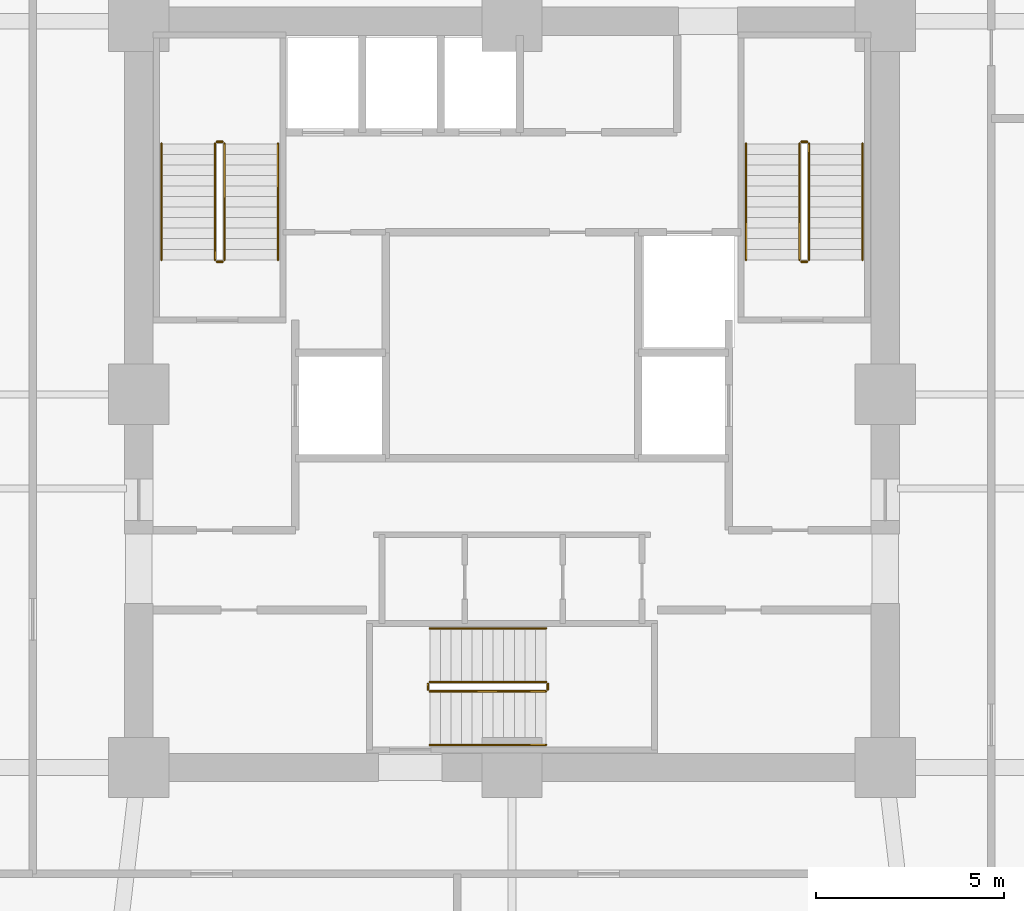
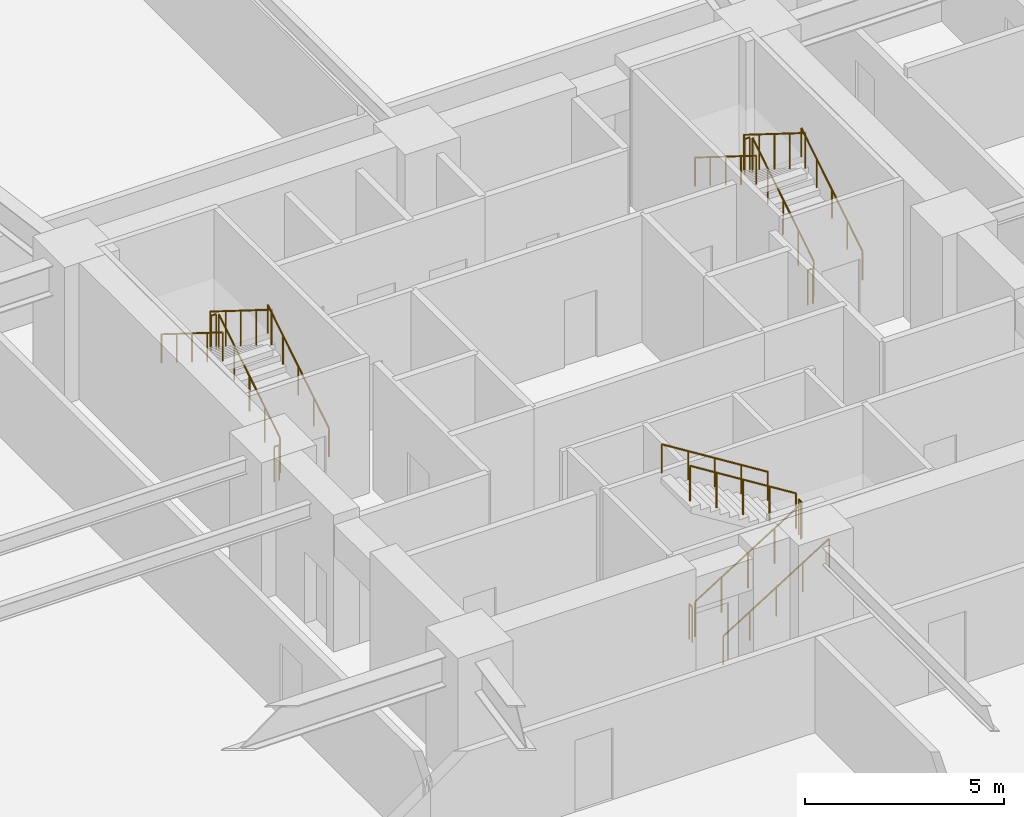
# One storey, part 5 of 5: 18 railings.
"""IFC4 building model written with IfcOpenShell, lengths in metres."""

from ifc_helpers import new_model, si_unit, direction, frame, origin, origin_2d, place, context, subcontext, project, spatial, circle, extrude, material, type_object, element, save


model = new_model("IFC4")

# Units and contexts
model_context = context("Model", 3, precision=1e-05, world=origin(), true_north=direction((0.0, 1.0)))
body_context = subcontext(model_context, "Body", "Model", "MODEL_VIEW")
ifc_project = project(units=[si_unit("LENGTHUNIT", "METRE"), si_unit("AREAUNIT", "SQUARE_METRE"), si_unit("VOLUMEUNIT", "CUBIC_METRE"), si_unit("PLANEANGLEUNIT", "RADIAN"), si_unit("MASSUNIT", "GRAM", prefix="KILO")], contexts=[model_context])

# Site, building, storey
site_placement = place(None, origin())
site = spatial("IfcSite", under=ifc_project, at=site_placement, CompositionType="ELEMENT")
building_placement = place(site_placement, origin())
building = spatial("IfcBuilding", under=site, at=building_placement, Name="Kolvaren Belvedere", CompositionType="ELEMENT")
storey_placement = place(building_placement, frame((0.0, 0.0, -8.39990234375)))
storey = spatial("IfcBuildingStorey", under=building, at=storey_placement, Name="B02", CompositionType="ELEMENT", Elevation=-8.39990234375)

# Railings
ifc_material_1 = material(Name="Brushed stainless-steel handrail", Category="steel")
railing_type_1 = type_object("IfcRailingType", Name="RL-HANDRAIL-920", PredefinedType="HANDRAIL", material=ifc_material_1)
railing_1_placement = place(storey_placement, frame((-6.2099609375, 3.570068359375, 0.1748046875)))
element("IfcRailing", 1, at=railing_1_placement, inside=storey, type_object=railing_type_1, Name="B02 ST-1 stair handrail 1", PredefinedType="HANDRAIL", context=body_context, shape_type="SweptSolid", body=[
    extrude(circle(Radius=0.02392578125, at=origin_2d()), frame((0.0, 0.0, 0.8759765625), z_axis=(0.0, 0.847979421464, 0.530029150871), x_axis=(-1.0, 0.0, 0.0)), (0.0, 0.0, 1.0), 3.632080078125),
    extrude(circle(Radius=0.02099609375, at=origin_2d()), origin(), (0.0, 0.0, 1.0), 0.851806640625),
    extrude(circle(Radius=0.02099609375, at=origin_2d()), frame((0.0, 0.77001953125, 0.481201171875)), (0.0, 0.0, 1.0), 0.851806640625),
    extrude(circle(Radius=0.02099609375, at=origin_2d()), frame((0.0, 1.5400390625, 0.96240234375)), (0.0, 0.0, 1.0), 0.851806640625),
    extrude(circle(Radius=0.02099609375, at=origin_2d()), frame((0.0, 2.309814453125, 1.44384765625)), (0.0, 0.0, 1.0), 0.851806640625),
    extrude(circle(Radius=0.02099609375, at=origin_2d()), frame((0.0, 3.079833984375, 1.925048828125)), (0.0, 0.0, 1.0), 0.851806640625),
])
railing_2_placement = place(storey_placement, frame((-9.300048828125, 6.64990234375, 2.27490234375)))
element("IfcRailing", 2, at=railing_2_placement, inside=storey, type_object=railing_type_1, Name="B02 ST-1 stair handrail 2", PredefinedType="HANDRAIL", context=body_context, shape_type="SweptSolid", body=[
    extrude(circle(Radius=0.02392578125, at=origin_2d()), frame((0.0, 0.0, 0.8759765625), z_axis=(0.0, -0.847979421464, 0.530029150871), x_axis=(1.0, 0.0, 0.0)), (0.0, 0.0, 1.0), 3.632080078125),
    extrude(circle(Radius=0.02099609375, at=origin_2d()), origin(), (0.0, 0.0, 1.0), 0.851806640625),
    extrude(circle(Radius=0.02099609375, at=origin_2d()), frame((0.0, -0.77001953125, 0.481201171875)), (0.0, 0.0, 1.0), 0.851806640625),
    extrude(circle(Radius=0.02099609375, at=origin_2d()), frame((0.0, -1.5400390625, 0.96240234375)), (0.0, 0.0, 1.0), 0.851806640625),
    extrude(circle(Radius=0.02099609375, at=origin_2d()), frame((0.0, -2.309814453125, 1.44384765625)), (0.0, 0.0, 1.0), 0.851806640625),
    extrude(circle(Radius=0.02099609375, at=origin_2d()), frame((0.0, -3.079833984375, 1.925048828125)), (0.0, 0.0, 1.0), 0.851806640625),
])
railing_3_placement = place(storey_placement, frame((9.300048828125, 3.570068359375, 0.1748046875)))
element("IfcRailing", 3, at=railing_3_placement, inside=storey, type_object=railing_type_1, Name="B02 ST-2 stair handrail 1", PredefinedType="HANDRAIL", context=body_context, shape_type="SweptSolid", body=[
    extrude(circle(Radius=0.02392578125, at=origin_2d()), frame((0.0, 0.0, 0.8759765625), z_axis=(0.0, 0.847979421464, 0.530029150871), x_axis=(-1.0, 0.0, 0.0)), (0.0, 0.0, 1.0), 3.632080078125),
    extrude(circle(Radius=0.02099609375, at=origin_2d()), origin(), (0.0, 0.0, 1.0), 0.851806640625),
    extrude(circle(Radius=0.02099609375, at=origin_2d()), frame((0.0, 0.77001953125, 0.481201171875)), (0.0, 0.0, 1.0), 0.851806640625),
    extrude(circle(Radius=0.02099609375, at=origin_2d()), frame((0.0, 1.5400390625, 0.96240234375)), (0.0, 0.0, 1.0), 0.851806640625),
    extrude(circle(Radius=0.02099609375, at=origin_2d()), frame((0.0, 2.309814453125, 1.44384765625)), (0.0, 0.0, 1.0), 0.851806640625),
    extrude(circle(Radius=0.02099609375, at=origin_2d()), frame((0.0, 3.079833984375, 1.925048828125)), (0.0, 0.0, 1.0), 0.851806640625),
])
railing_4_placement = place(storey_placement, frame((6.2099609375, 6.64990234375, 2.27490234375)))
element("IfcRailing", 4, at=railing_4_placement, inside=storey, type_object=railing_type_1, Name="B02 ST-2 stair handrail 2", PredefinedType="HANDRAIL", context=body_context, shape_type="SweptSolid", body=[
    extrude(circle(Radius=0.02392578125, at=origin_2d()), frame((0.0, 0.0, 0.8759765625), z_axis=(0.0, -0.847979421464, 0.530029150871), x_axis=(1.0, 0.0, 0.0)), (0.0, 0.0, 1.0), 3.632080078125),
    extrude(circle(Radius=0.02099609375, at=origin_2d()), origin(), (0.0, 0.0, 1.0), 0.851806640625),
    extrude(circle(Radius=0.02099609375, at=origin_2d()), frame((0.0, -0.77001953125, 0.481201171875)), (0.0, 0.0, 1.0), 0.851806640625),
    extrude(circle(Radius=0.02099609375, at=origin_2d()), frame((0.0, -1.5400390625, 0.96240234375)), (0.0, 0.0, 1.0), 0.851806640625),
    extrude(circle(Radius=0.02099609375, at=origin_2d()), frame((0.0, -2.309814453125, 1.44384765625)), (0.0, 0.0, 1.0), 0.851806640625),
    extrude(circle(Radius=0.02099609375, at=origin_2d()), frame((0.0, -3.079833984375, 1.925048828125)), (0.0, 0.0, 1.0), 0.851806640625),
])
railing_5_placement = place(storey_placement, frame((-2.179931640625, -9.300048828125, 0.1748046875)))
element("IfcRailing", 5, at=railing_5_placement, inside=storey, type_object=railing_type_1, Name="B02 ST-3 stair handrail 1", PredefinedType="HANDRAIL", context=body_context, shape_type="SweptSolid", body=[
    extrude(circle(Radius=0.02392578125, at=origin_2d()), frame((0.0, 0.0, 0.8759765625), z_axis=(0.847979421464, 0.0, 0.530029150871), x_axis=(0.0, 1.0, 0.0)), (0.0, 0.0, 1.0), 3.632080078125),
    extrude(circle(Radius=0.02099609375, at=origin_2d()), origin(), (0.0, 0.0, 1.0), 0.851806640625),
    extrude(circle(Radius=0.02099609375, at=origin_2d()), frame((0.77001953125, 0.0, 0.481201171875)), (0.0, 0.0, 1.0), 0.851806640625),
    extrude(circle(Radius=0.02099609375, at=origin_2d()), frame((1.5400390625, 0.0, 0.96240234375)), (0.0, 0.0, 1.0), 0.851806640625),
    extrude(circle(Radius=0.02099609375, at=origin_2d()), frame((2.309814453125, 0.0, 1.44384765625)), (0.0, 0.0, 1.0), 0.851806640625),
    extrude(circle(Radius=0.02099609375, at=origin_2d()), frame((3.079833984375, 0.0, 1.925048828125)), (0.0, 0.0, 1.0), 0.851806640625),
])
railing_6_placement = place(storey_placement, frame((0.89990234375, -6.2099609375, 2.27490234375)))
element("IfcRailing", 6, at=railing_6_placement, inside=storey, type_object=railing_type_1, Name="B02 ST-3 stair handrail 2", PredefinedType="HANDRAIL", context=body_context, shape_type="SweptSolid", body=[
    extrude(circle(Radius=0.02392578125, at=origin_2d()), frame((0.0, 0.0, 0.8759765625), z_axis=(-0.847979421464, 0.0, 0.530029150871), x_axis=(0.0, -1.0, 0.0)), (0.0, 0.0, 1.0), 3.632080078125),
    extrude(circle(Radius=0.02099609375, at=origin_2d()), origin(), (0.0, 0.0, 1.0), 0.851806640625),
    extrude(circle(Radius=0.02099609375, at=origin_2d()), frame((-0.77001953125, 0.0, 0.481201171875)), (0.0, 0.0, 1.0), 0.851806640625),
    extrude(circle(Radius=0.02099609375, at=origin_2d()), frame((-1.5400390625, 0.0, 0.96240234375)), (0.0, 0.0, 1.0), 0.851806640625),
    extrude(circle(Radius=0.02099609375, at=origin_2d()), frame((-2.309814453125, 0.0, 1.44384765625)), (0.0, 0.0, 1.0), 0.851806640625),
    extrude(circle(Radius=0.02099609375, at=origin_2d()), frame((-3.079833984375, 0.0, 1.925048828125)), (0.0, 0.0, 1.0), 0.851806640625),
])
ifc_material_2 = material(Name="Painted tubular steel stair guard", Category="steel")
railing_type_2 = type_object("IfcRailingType", Name="RL-STGUARD-1100", PredefinedType="GUARDRAIL", material=ifc_material_2)
railing_7_placement = place(storey_placement, frame((-7.6298828125, 3.570068359375, 0.1748046875)))
element("IfcRailing", 7, at=railing_7_placement, inside=storey, type_object=railing_type_2, Name="B02 ST-1 stair guard 1", PredefinedType="GUARDRAIL", context=body_context, shape_type="SweptSolid", body=[
    extrude(circle(Radius=0.02392578125, at=origin_2d()), frame((0.0, 0.0, 1.076171875), z_axis=(0.0, 0.847979421464, 0.530029150871), x_axis=(-1.0, 0.0, 0.0)), (0.0, 0.0, 1.0), 3.632080078125),
    extrude(circle(Radius=0.02099609375, at=origin_2d()), origin(), (0.0, 0.0, 1.0), 1.052001953125),
    extrude(circle(Radius=0.02099609375, at=origin_2d()), frame((0.0, 0.77001953125, 0.481201171875)), (0.0, 0.0, 1.0), 1.052001953125),
    extrude(circle(Radius=0.02099609375, at=origin_2d()), frame((0.0, 1.5400390625, 0.96240234375)), (0.0, 0.0, 1.0), 1.052001953125),
    extrude(circle(Radius=0.02099609375, at=origin_2d()), frame((0.0, 2.309814453125, 1.44384765625)), (0.0, 0.0, 1.0), 1.052001953125),
    extrude(circle(Radius=0.02099609375, at=origin_2d()), frame((0.0, 3.079833984375, 1.925048828125)), (0.0, 0.0, 1.0), 1.052001953125),
])
railing_8_placement = place(storey_placement, frame((-7.679931640625, 6.699951171875, 2.099853515625)))
element("IfcRailing", 8, at=railing_8_placement, inside=storey, type_object=railing_type_2, Name="B02 ST-1 stair guard 2", PredefinedType="GUARDRAIL", context=body_context, shape_type="SweptSolid", body=[
    extrude(circle(Radius=0.02392578125, at=origin_2d()), frame((0.0, 0.0, 1.076171875), z_axis=(-1.0, 0.0, 0.0), x_axis=(0.0, -1.0, 0.0)), (0.0, 0.0, 1.0), 0.150146484375),
    extrude(circle(Radius=0.02099609375, at=origin_2d()), origin(), (0.0, 0.0, 1.0), 1.052001953125),
    extrude(circle(Radius=0.02099609375, at=origin_2d()), frame((-0.150146484375, 0.0, 0.0)), (0.0, 0.0, 1.0), 1.052001953125),
])
railing_9_placement = place(storey_placement, frame((-7.8798828125, 6.64990234375, 2.27490234375)))
element("IfcRailing", 9, at=railing_9_placement, inside=storey, type_object=railing_type_2, Name="B02 ST-1 stair guard 3", PredefinedType="GUARDRAIL", context=body_context, shape_type="SweptSolid", body=[
    extrude(circle(Radius=0.02392578125, at=origin_2d()), frame((0.0, 0.0, 1.076171875), z_axis=(0.0, -0.847979421464, 0.530029150871), x_axis=(1.0, 0.0, 0.0)), (0.0, 0.0, 1.0), 3.632080078125),
    extrude(circle(Radius=0.02099609375, at=origin_2d()), origin(), (0.0, 0.0, 1.0), 1.052001953125),
    extrude(circle(Radius=0.02099609375, at=origin_2d()), frame((0.0, -0.77001953125, 0.481201171875)), (0.0, 0.0, 1.0), 1.052001953125),
    extrude(circle(Radius=0.02099609375, at=origin_2d()), frame((0.0, -1.5400390625, 0.96240234375)), (0.0, 0.0, 1.0), 1.052001953125),
    extrude(circle(Radius=0.02099609375, at=origin_2d()), frame((0.0, -2.309814453125, 1.44384765625)), (0.0, 0.0, 1.0), 1.052001953125),
    extrude(circle(Radius=0.02099609375, at=origin_2d()), frame((0.0, -3.079833984375, 1.925048828125)), (0.0, 0.0, 1.0), 1.052001953125),
])
railing_10_placement = place(storey_placement, frame((-7.679931640625, 3.52001953125, 0.0)))
element("IfcRailing", 10, at=railing_10_placement, inside=storey, type_object=railing_type_2, Name="B02 ST-1 stair guard 4", PredefinedType="GUARDRAIL", context=body_context, shape_type="SweptSolid", body=[
    extrude(circle(Radius=0.02392578125, at=origin_2d()), frame((0.0, 0.0, 1.076171875), z_axis=(-1.0, 0.0, 0.0), x_axis=(0.0, -1.0, 0.0)), (0.0, 0.0, 1.0), 0.150146484375),
    extrude(circle(Radius=0.02099609375, at=origin_2d()), origin(), (0.0, 0.0, 1.0), 1.052001953125),
    extrude(circle(Radius=0.02099609375, at=origin_2d()), frame((-0.150146484375, 0.0, 0.0)), (0.0, 0.0, 1.0), 1.052001953125),
])
railing_11_placement = place(storey_placement, frame((7.8798828125, 3.570068359375, 0.1748046875)))
element("IfcRailing", 11, at=railing_11_placement, inside=storey, type_object=railing_type_2, Name="B02 ST-2 stair guard 1", PredefinedType="GUARDRAIL", context=body_context, shape_type="SweptSolid", body=[
    extrude(circle(Radius=0.02392578125, at=origin_2d()), frame((0.0, 0.0, 1.076171875), z_axis=(0.0, 0.847979421464, 0.530029150871), x_axis=(-1.0, 0.0, 0.0)), (0.0, 0.0, 1.0), 3.632080078125),
    extrude(circle(Radius=0.02099609375, at=origin_2d()), origin(), (0.0, 0.0, 1.0), 1.052001953125),
    extrude(circle(Radius=0.02099609375, at=origin_2d()), frame((0.0, 0.77001953125, 0.481201171875)), (0.0, 0.0, 1.0), 1.052001953125),
    extrude(circle(Radius=0.02099609375, at=origin_2d()), frame((0.0, 1.5400390625, 0.96240234375)), (0.0, 0.0, 1.0), 1.052001953125),
    extrude(circle(Radius=0.02099609375, at=origin_2d()), frame((0.0, 2.309814453125, 1.44384765625)), (0.0, 0.0, 1.0), 1.052001953125),
    extrude(circle(Radius=0.02099609375, at=origin_2d()), frame((0.0, 3.079833984375, 1.925048828125)), (0.0, 0.0, 1.0), 1.052001953125),
])
railing_12_placement = place(storey_placement, frame((7.830078125, 6.699951171875, 2.099853515625)))
element("IfcRailing", 12, at=railing_12_placement, inside=storey, type_object=railing_type_2, Name="B02 ST-2 stair guard 2", PredefinedType="GUARDRAIL", context=body_context, shape_type="SweptSolid", body=[
    extrude(circle(Radius=0.02392578125, at=origin_2d()), frame((0.0, 0.0, 1.076171875), z_axis=(-1.0, 0.0, 0.0), x_axis=(0.0, -1.0, 0.0)), (0.0, 0.0, 1.0), 0.150146484375),
    extrude(circle(Radius=0.02099609375, at=origin_2d()), origin(), (0.0, 0.0, 1.0), 1.052001953125),
    extrude(circle(Radius=0.02099609375, at=origin_2d()), frame((-0.150146484375, 0.0, 0.0)), (0.0, 0.0, 1.0), 1.052001953125),
])
railing_13_placement = place(storey_placement, frame((7.6298828125, 6.64990234375, 2.27490234375)))
element("IfcRailing", 13, at=railing_13_placement, inside=storey, type_object=railing_type_2, Name="B02 ST-2 stair guard 3", PredefinedType="GUARDRAIL", context=body_context, shape_type="SweptSolid", body=[
    extrude(circle(Radius=0.02392578125, at=origin_2d()), frame((0.0, 0.0, 1.076171875), z_axis=(0.0, -0.847979421464, 0.530029150871), x_axis=(1.0, 0.0, 0.0)), (0.0, 0.0, 1.0), 3.632080078125),
    extrude(circle(Radius=0.02099609375, at=origin_2d()), origin(), (0.0, 0.0, 1.0), 1.052001953125),
    extrude(circle(Radius=0.02099609375, at=origin_2d()), frame((0.0, -0.77001953125, 0.481201171875)), (0.0, 0.0, 1.0), 1.052001953125),
    extrude(circle(Radius=0.02099609375, at=origin_2d()), frame((0.0, -1.5400390625, 0.96240234375)), (0.0, 0.0, 1.0), 1.052001953125),
    extrude(circle(Radius=0.02099609375, at=origin_2d()), frame((0.0, -2.309814453125, 1.44384765625)), (0.0, 0.0, 1.0), 1.052001953125),
    extrude(circle(Radius=0.02099609375, at=origin_2d()), frame((0.0, -3.079833984375, 1.925048828125)), (0.0, 0.0, 1.0), 1.052001953125),
])
railing_14_placement = place(storey_placement, frame((7.830078125, 3.52001953125, 0.0)))
element("IfcRailing", 14, at=railing_14_placement, inside=storey, type_object=railing_type_2, Name="B02 ST-2 stair guard 4", PredefinedType="GUARDRAIL", context=body_context, shape_type="SweptSolid", body=[
    extrude(circle(Radius=0.02392578125, at=origin_2d()), frame((0.0, 0.0, 1.076171875), z_axis=(-1.0, 0.0, 0.0), x_axis=(0.0, -1.0, 0.0)), (0.0, 0.0, 1.0), 0.150146484375),
    extrude(circle(Radius=0.02099609375, at=origin_2d()), origin(), (0.0, 0.0, 1.0), 1.052001953125),
    extrude(circle(Radius=0.02099609375, at=origin_2d()), frame((-0.150146484375, 0.0, 0.0)), (0.0, 0.0, 1.0), 1.052001953125),
])
railing_15_placement = place(storey_placement, frame((-2.179931640625, -7.8798828125, 0.1748046875)))
element("IfcRailing", 15, at=railing_15_placement, inside=storey, type_object=railing_type_2, Name="B02 ST-3 stair guard 1", PredefinedType="GUARDRAIL", context=body_context, shape_type="SweptSolid", body=[
    extrude(circle(Radius=0.02392578125, at=origin_2d()), frame((0.0, 0.0, 1.076171875), z_axis=(0.847979421464, 0.0, 0.530029150871), x_axis=(0.0, 1.0, 0.0)), (0.0, 0.0, 1.0), 3.632080078125),
    extrude(circle(Radius=0.02099609375, at=origin_2d()), origin(), (0.0, 0.0, 1.0), 1.052001953125),
    extrude(circle(Radius=0.02099609375, at=origin_2d()), frame((0.77001953125, 0.0, 0.481201171875)), (0.0, 0.0, 1.0), 1.052001953125),
    extrude(circle(Radius=0.02099609375, at=origin_2d()), frame((1.5400390625, 0.0, 0.96240234375)), (0.0, 0.0, 1.0), 1.052001953125),
    extrude(circle(Radius=0.02099609375, at=origin_2d()), frame((2.309814453125, 0.0, 1.44384765625)), (0.0, 0.0, 1.0), 1.052001953125),
    extrude(circle(Radius=0.02099609375, at=origin_2d()), frame((3.079833984375, 0.0, 1.925048828125)), (0.0, 0.0, 1.0), 1.052001953125),
])
railing_16_placement = place(storey_placement, frame((0.949951171875, -7.830078125, 2.099853515625)))
element("IfcRailing", 16, at=railing_16_placement, inside=storey, type_object=railing_type_2, Name="B02 ST-3 stair guard 2", PredefinedType="GUARDRAIL", context=body_context, shape_type="SweptSolid", body=[
    extrude(circle(Radius=0.02392578125, at=origin_2d()), frame((0.0, 0.0, 1.076171875), z_axis=(0.0, 1.0, 0.0), x_axis=(-1.0, 0.0, 0.0)), (0.0, 0.0, 1.0), 0.150146484375),
    extrude(circle(Radius=0.02099609375, at=origin_2d()), origin(), (0.0, 0.0, 1.0), 1.052001953125),
    extrude(circle(Radius=0.02099609375, at=origin_2d()), frame((0.0, 0.150146484375, 0.0)), (0.0, 0.0, 1.0), 1.052001953125),
])
railing_17_placement = place(storey_placement, frame((0.89990234375, -7.6298828125, 2.27490234375)))
element("IfcRailing", 17, at=railing_17_placement, inside=storey, type_object=railing_type_2, Name="B02 ST-3 stair guard 3", PredefinedType="GUARDRAIL", context=body_context, shape_type="SweptSolid", body=[
    extrude(circle(Radius=0.02392578125, at=origin_2d()), frame((0.0, 0.0, 1.076171875), z_axis=(-0.847979421464, 0.0, 0.530029150871), x_axis=(0.0, -1.0, 0.0)), (0.0, 0.0, 1.0), 3.632080078125),
    extrude(circle(Radius=0.02099609375, at=origin_2d()), origin(), (0.0, 0.0, 1.0), 1.052001953125),
    extrude(circle(Radius=0.02099609375, at=origin_2d()), frame((-0.77001953125, 0.0, 0.481201171875)), (0.0, 0.0, 1.0), 1.052001953125),
    extrude(circle(Radius=0.02099609375, at=origin_2d()), frame((-1.5400390625, 0.0, 0.96240234375)), (0.0, 0.0, 1.0), 1.052001953125),
    extrude(circle(Radius=0.02099609375, at=origin_2d()), frame((-2.309814453125, 0.0, 1.44384765625)), (0.0, 0.0, 1.0), 1.052001953125),
    extrude(circle(Radius=0.02099609375, at=origin_2d()), frame((-3.079833984375, 0.0, 1.925048828125)), (0.0, 0.0, 1.0), 1.052001953125),
])
railing_18_placement = place(storey_placement, frame((-2.22998046875, -7.830078125, 0.0)))
element("IfcRailing", 18, at=railing_18_placement, inside=storey, type_object=railing_type_2, Name="B02 ST-3 stair guard 4", PredefinedType="GUARDRAIL", context=body_context, shape_type="SweptSolid", body=[
    extrude(circle(Radius=0.02392578125, at=origin_2d()), frame((0.0, 0.0, 1.076171875), z_axis=(0.0, 1.0, 0.0), x_axis=(-1.0, 0.0, 0.0)), (0.0, 0.0, 1.0), 0.150146484375),
    extrude(circle(Radius=0.02099609375, at=origin_2d()), origin(), (0.0, 0.0, 1.0), 1.052001953125),
    extrude(circle(Radius=0.02099609375, at=origin_2d()), frame((0.0, 0.150146484375, 0.0)), (0.0, 0.0, 1.0), 1.052001953125),
])

save(model, "model.ifc")
